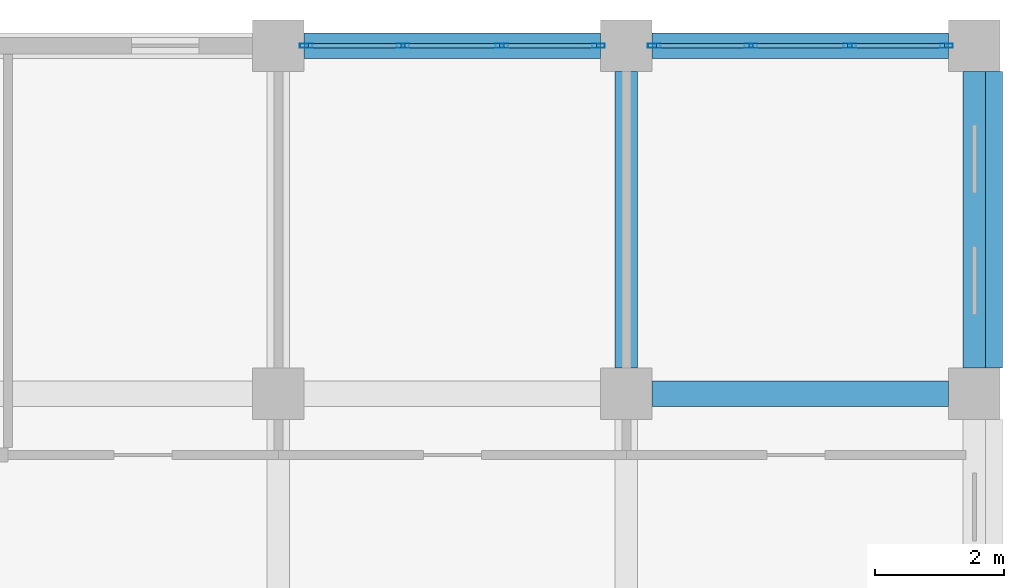
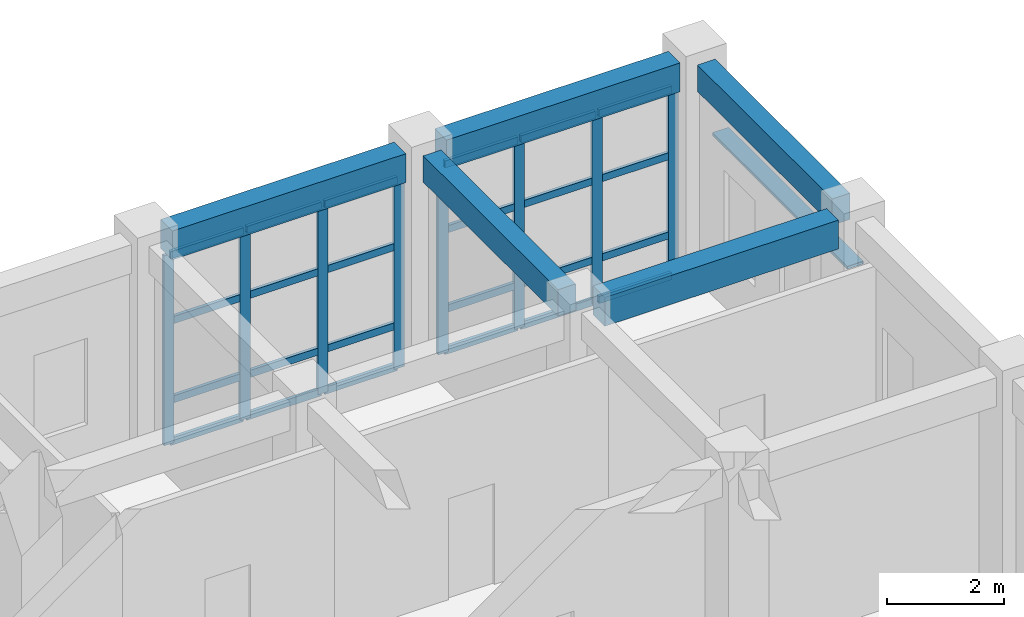
# One storey, part 53 of 76: 33 members, 5 beams, 2 elements without a shape of their own.
"""IFC4 building model written with IfcOpenShell, lengths in metres."""

from ifc_helpers import new_model, si_unit, direction, frame, origin, origin_2d, place, context, subcontext, project, spatial, rectangle, hollow_rectangle, extrude, material, layer, layer_set, material_profile, profile_set, type_object, element, aggregate, save


model = new_model("IFC4")

# Units and contexts
model_context = context("Model", 3, precision=1e-05, world=origin(), true_north=direction((0.0, 1.0)))
body_context = subcontext(model_context, "Body", "Model", "MODEL_VIEW")
ifc_project = project(units=[si_unit("LENGTHUNIT", "METRE"), si_unit("AREAUNIT", "SQUARE_METRE"), si_unit("VOLUMEUNIT", "CUBIC_METRE"), si_unit("PLANEANGLEUNIT", "RADIAN"), si_unit("MASSUNIT", "GRAM", prefix="KILO")], contexts=[model_context])

# Site, building, storey
site_placement = place(None, origin())
site = spatial("IfcSite", under=ifc_project, at=site_placement, CompositionType="ELEMENT")
building_placement = place(site_placement, origin())
building = spatial("IfcBuilding", under=site, at=building_placement, Name="Krzemoval Escarpment Law Courts", CompositionType="ELEMENT")
storey_placement = place(building_placement, frame((0.0, 0.0, 20.39990234375)))
storey = spatial("IfcBuildingStorey", under=building, at=storey_placement, Name="L04", CompositionType="ELEMENT", Elevation=20.39990234375)

# Beams
ifc_material_1 = material(Name="Concrete C40/50", Category="concrete")
ifc_material_profile_1 = material_profile(ifc_material_1, rectangle(XDim=0.35009765625, YDim=0.550048828125, at=origin_2d()), Name="RCB 350x550")
ifc_profile_set_1 = profile_set([ifc_material_profile_1], Name="Concrete C40/50")
beam_type_1 = type_object("IfcBeamType", Name="BM-RC-350x550", PredefinedType="BEAM", material=ifc_profile_set_1)
for number, where, z_axis, x_axis, name in (
    (1, (167.39990234375, 113.800048828125, 4.275146484375), (0.0, 1.0, 0.0), (-1.0, 0.0, 0.0), "Beam FG-L04-2539"),
    (2, (172.800048828125, 113.800048828125, 4.275146484375), (0.0, 1.0, 0.0), (-1.0, 0.0, 0.0), "Beam FG-L04-2543"),
):
    element("IfcBeam", number, at=place(storey_placement, frame(where, z_axis=z_axis, x_axis=x_axis)), inside=storey, type_object=beam_type_1, Name=name, PredefinedType="BEAM", context=body_context, shape_type="SweptSolid", body=[
        extrude(rectangle(XDim=0.35009765625, YDim=0.550048828125, at=origin_2d()), origin(), (0.0, 0.0, 1.0), 4.599853515625),
    ])
ifc_material_2 = material(Name="Concrete C40/50", Category="concrete")
ifc_material_profile_2 = material_profile(ifc_material_2, rectangle(XDim=0.39990234375, YDim=0.60009765625, at=origin_2d()), Name="RCB 400x600")
ifc_profile_set_2 = profile_set([ifc_material_profile_2], Name="Concrete C40/50")
beam_type_2 = type_object("IfcBeamType", Name="BM-RC-400x600", PredefinedType="BEAM", material=ifc_profile_set_2)
beam_1_placement = place(storey_placement, frame((167.800048828125, 113.39990234375, 4.25), z_axis=(1.0, 0.0, 0.0), x_axis=(0.0, 1.0, 0.0)))
element("IfcBeam", 3, at=beam_1_placement, inside=storey, type_object=beam_type_2, Name="Beam FG-L04-2474", PredefinedType="BEAM", context=body_context, shape_type="SweptSolid", body=[
    extrude(rectangle(XDim=0.39990234375, YDim=0.60009765625, at=origin_2d()), origin(), (0.0, 0.0, 1.0), 4.599853515625),
])
beam_2_placement = place(storey_placement, frame((162.39990234375, 118.800048828125, 4.25), z_axis=(1.0, 0.0, 0.0), x_axis=(0.0, 1.0, 0.0)))
element("IfcBeam", 4, at=beam_2_placement, inside=storey, type_object=beam_type_2, Name="Beam FG-L04-2480", PredefinedType="BEAM", context=body_context, shape_type="SweptSolid", body=[
    extrude(rectangle(XDim=0.39990234375, YDim=0.60009765625, at=origin_2d()), origin(), (0.0, 0.0, 1.0), 4.60009765625),
])
beam_3_placement = place(storey_placement, frame((167.800048828125, 118.800048828125, 4.25), z_axis=(1.0, 0.0, 0.0), x_axis=(0.0, 1.0, 0.0)))
element("IfcBeam", 5, at=beam_3_placement, inside=storey, type_object=beam_type_2, Name="Beam FG-L04-2481", PredefinedType="BEAM", context=body_context, shape_type="SweptSolid", body=[
    extrude(rectangle(XDim=0.39990234375, YDim=0.60009765625, at=origin_2d()), origin(), (0.0, 0.0, 1.0), 4.599853515625),
])

# Curtain wall, members
ifc_material_3 = material(Name="Aluminium 6063-T6", Category="aluminium")
ifc_layer = layer(ifc_material_3, 0.219970703125)
ifc_layer_set = layer_set([ifc_layer], Name="Aluminium 6063-T6")
curtain_wall_type = type_object("IfcCurtainWallType", Name="CW-CHMB-4200", PredefinedType="USERDEFINED", material=ifc_layer_set)
curtain_wall_1_placement = place(storey_placement, origin())
curtain_wall_1 = element("IfcCurtainWall", 6, at=curtain_wall_1_placement, inside=storey, type_object=curtain_wall_type, Name="Unitised Curtain Wall FCW-L04-129", ObjectType="UNITISED_CURTAIN_WALL", PredefinedType="USERDEFINED")
ifc_material_4 = material(Name="Aluminium 6063-T6", Category="aluminium")
ifc_material_profile_3 = material_profile(ifc_material_4, hollow_rectangle(XDim=0.06494140625, YDim=0.199951171875, WallThickness=0.00439453125, at=origin_2d()), Name="ALU M65x200")
ifc_profile_set_3 = profile_set([ifc_material_profile_3], Name="Aluminium 6063-T6")
member_type_1 = type_object("IfcMemberType", Name="CWM-65x200", PredefinedType="MULLION", material=ifc_profile_set_3)
member_1_placement = place(storey_placement, frame((162.4326171875, 118.800048828125, 0.0), z_axis=(0.0, 0.0, 1.0), x_axis=(0.0, 1.0, 0.0)))
member_1 = element("IfcMember", 7, at=member_1_placement, type_object=member_type_1, Name="FCW-L04-129 mullion 1", PredefinedType="MULLION", context=body_context, shape_type="SweptSolid", body=[
    extrude(hollow_rectangle(XDim=0.06494140625, YDim=0.199951171875, WallThickness=0.00439453125, at=origin_2d()), origin(), (0.0, 0.0, 1.0), 3.9501953125),
])
member_2_placement = place(storey_placement, frame((163.933349609375, 118.800048828125, 0.0), z_axis=(0.0, 0.0, 1.0), x_axis=(0.0, 1.0, 0.0)))
member_2 = element("IfcMember", 8, at=member_2_placement, type_object=member_type_1, Name="FCW-L04-129 mullion 2", PredefinedType="MULLION", context=body_context, shape_type="SweptSolid", body=[
    extrude(hollow_rectangle(XDim=0.06494140625, YDim=0.199951171875, WallThickness=0.00439453125, at=origin_2d()), origin(), (0.0, 0.0, 1.0), 3.9501953125),
])
member_3_placement = place(storey_placement, frame((165.466552734375, 118.800048828125, 0.0), z_axis=(0.0, 0.0, 1.0), x_axis=(0.0, 1.0, 0.0)))
member_3 = element("IfcMember", 9, at=member_3_placement, type_object=member_type_1, Name="FCW-L04-129 mullion 3", PredefinedType="MULLION", context=body_context, shape_type="SweptSolid", body=[
    extrude(hollow_rectangle(XDim=0.06494140625, YDim=0.199951171875, WallThickness=0.00439453125, at=origin_2d()), origin(), (0.0, 0.0, 1.0), 3.9501953125),
])
member_4_placement = place(storey_placement, frame((166.967529296875, 118.800048828125, 0.0), z_axis=(0.0, 0.0, 1.0), x_axis=(0.0, 1.0, 0.0)))
member_4 = element("IfcMember", 10, at=member_4_placement, type_object=member_type_1, Name="FCW-L04-129 mullion 4", PredefinedType="MULLION", context=body_context, shape_type="SweptSolid", body=[
    extrude(hollow_rectangle(XDim=0.06494140625, YDim=0.199951171875, WallThickness=0.00439453125, at=origin_2d()), origin(), (0.0, 0.0, 1.0), 3.9501953125),
])

curtain_wall_2_placement = place(storey_placement, origin())
curtain_wall_2 = element("IfcCurtainWall", 11, at=curtain_wall_2_placement, inside=storey, type_object=curtain_wall_type, Name="Unitised Curtain Wall FCW-L04-130", ObjectType="UNITISED_CURTAIN_WALL", PredefinedType="USERDEFINED")
member_5_placement = place(storey_placement, frame((167.83251953125, 118.800048828125, 0.0), z_axis=(0.0, 0.0, 1.0), x_axis=(0.0, 1.0, 0.0)))
member_5 = element("IfcMember", 12, at=member_5_placement, type_object=member_type_1, Name="FCW-L04-130 mullion 1", PredefinedType="MULLION", context=body_context, shape_type="SweptSolid", body=[
    extrude(hollow_rectangle(XDim=0.06494140625, YDim=0.199951171875, WallThickness=0.00439453125, at=origin_2d()), origin(), (0.0, 0.0, 1.0), 3.9501953125),
])
member_6_placement = place(storey_placement, frame((169.333251953125, 118.800048828125, 0.0), z_axis=(0.0, 0.0, 1.0), x_axis=(0.0, 1.0, 0.0)))
member_6 = element("IfcMember", 13, at=member_6_placement, type_object=member_type_1, Name="FCW-L04-130 mullion 2", PredefinedType="MULLION", context=body_context, shape_type="SweptSolid", body=[
    extrude(hollow_rectangle(XDim=0.06494140625, YDim=0.199951171875, WallThickness=0.00439453125, at=origin_2d()), origin(), (0.0, 0.0, 1.0), 3.9501953125),
])
member_7_placement = place(storey_placement, frame((170.86669921875, 118.800048828125, 0.0), z_axis=(0.0, 0.0, 1.0), x_axis=(0.0, 1.0, 0.0)))
member_7 = element("IfcMember", 14, at=member_7_placement, type_object=member_type_1, Name="FCW-L04-130 mullion 3", PredefinedType="MULLION", context=body_context, shape_type="SweptSolid", body=[
    extrude(hollow_rectangle(XDim=0.06494140625, YDim=0.199951171875, WallThickness=0.00439453125, at=origin_2d()), origin(), (0.0, 0.0, 1.0), 3.9501953125),
])
member_8_placement = place(storey_placement, frame((172.367431640625, 118.800048828125, 0.0), z_axis=(0.0, 0.0, 1.0), x_axis=(0.0, 1.0, 0.0)))
member_8 = element("IfcMember", 15, at=member_8_placement, type_object=member_type_1, Name="FCW-L04-130 mullion 4", PredefinedType="MULLION", context=body_context, shape_type="SweptSolid", body=[
    extrude(hollow_rectangle(XDim=0.06494140625, YDim=0.199951171875, WallThickness=0.00439453125, at=origin_2d()), origin(), (0.0, 0.0, 1.0), 3.9501953125),
])

# Member
ifc_material_5 = material(Name="Aluminium 6063-T6", Category="aluminium")
ifc_material_profile_4 = material_profile(ifc_material_5, hollow_rectangle(XDim=0.06494140625, YDim=0.14990234375, WallThickness=0.00439453125, at=origin_2d()), Name="ALU T65x150")
ifc_profile_set_4 = profile_set([ifc_material_profile_4], Name="Aluminium 6063-T6")
member_type_2 = type_object("IfcMemberType", Name="CWT-65x150", PredefinedType="USERDEFINED", material=ifc_profile_set_4)
member_9_placement = place(storey_placement, frame((162.465087890625, 118.800048828125, 0.03271484375), z_axis=(1.0, 0.0, 0.0), x_axis=(0.0, 1.0, 0.0)))
member_9 = element("IfcMember", 16, at=member_9_placement, type_object=member_type_2, Name="FCW-L04-129 transom 1.1", ObjectType="TRANSOM", PredefinedType="USERDEFINED", context=body_context, shape_type="SweptSolid", body=[
    extrude(hollow_rectangle(XDim=0.06494140625, YDim=0.14990234375, WallThickness=0.00439453125, at=origin_2d()), origin(), (0.0, 0.0, 1.0), 1.435791015625),
])

member_10_placement = place(storey_placement, frame((162.465087890625, 118.800048828125, 0.900146484375), z_axis=(1.0, 0.0, 0.0), x_axis=(0.0, 1.0, 0.0)))
member_10 = element("IfcMember", 17, at=member_10_placement, type_object=member_type_2, Name="FCW-L04-129 transom 1.2", ObjectType="TRANSOM", PredefinedType="USERDEFINED", context=body_context, shape_type="SweptSolid", body=[
    extrude(hollow_rectangle(XDim=0.06494140625, YDim=0.14990234375, WallThickness=0.00439453125, at=origin_2d()), origin(), (0.0, 0.0, 1.0), 1.435791015625),
])

member_11_placement = place(storey_placement, frame((162.465087890625, 118.800048828125, 2.550048828125), z_axis=(1.0, 0.0, 0.0), x_axis=(0.0, 1.0, 0.0)))
member_11 = element("IfcMember", 18, at=member_11_placement, type_object=member_type_2, Name="FCW-L04-129 transom 1.3", ObjectType="TRANSOM", PredefinedType="USERDEFINED", context=body_context, shape_type="SweptSolid", body=[
    extrude(hollow_rectangle(XDim=0.06494140625, YDim=0.14990234375, WallThickness=0.00439453125, at=origin_2d()), origin(), (0.0, 0.0, 1.0), 1.435791015625),
])

member_12_placement = place(storey_placement, frame((162.465087890625, 118.800048828125, 3.91748046875), z_axis=(1.0, 0.0, 0.0), x_axis=(0.0, 1.0, 0.0)))
member_12 = element("IfcMember", 19, at=member_12_placement, type_object=member_type_2, Name="FCW-L04-129 transom 1.4", ObjectType="TRANSOM", PredefinedType="USERDEFINED", context=body_context, shape_type="SweptSolid", body=[
    extrude(hollow_rectangle(XDim=0.06494140625, YDim=0.14990234375, WallThickness=0.00439453125, at=origin_2d()), origin(), (0.0, 0.0, 1.0), 1.435791015625),
])

member_13_placement = place(storey_placement, frame((163.9658203125, 118.800048828125, 0.03271484375), z_axis=(1.0, 0.0, 0.0), x_axis=(0.0, 1.0, 0.0)))
member_13 = element("IfcMember", 20, at=member_13_placement, type_object=member_type_2, Name="FCW-L04-129 transom 2.1", ObjectType="TRANSOM", PredefinedType="USERDEFINED", context=body_context, shape_type="SweptSolid", body=[
    extrude(hollow_rectangle(XDim=0.06494140625, YDim=0.14990234375, WallThickness=0.00439453125, at=origin_2d()), origin(), (0.0, 0.0, 1.0), 1.46826171875),
])

member_14_placement = place(storey_placement, frame((163.9658203125, 118.800048828125, 0.900146484375), z_axis=(1.0, 0.0, 0.0), x_axis=(0.0, 1.0, 0.0)))
member_14 = element("IfcMember", 21, at=member_14_placement, type_object=member_type_2, Name="FCW-L04-129 transom 2.2", ObjectType="TRANSOM", PredefinedType="USERDEFINED", context=body_context, shape_type="SweptSolid", body=[
    extrude(hollow_rectangle(XDim=0.06494140625, YDim=0.14990234375, WallThickness=0.00439453125, at=origin_2d()), origin(), (0.0, 0.0, 1.0), 1.46826171875),
])

member_15_placement = place(storey_placement, frame((163.9658203125, 118.800048828125, 2.550048828125), z_axis=(1.0, 0.0, 0.0), x_axis=(0.0, 1.0, 0.0)))
member_15 = element("IfcMember", 22, at=member_15_placement, type_object=member_type_2, Name="FCW-L04-129 transom 2.3", ObjectType="TRANSOM", PredefinedType="USERDEFINED", context=body_context, shape_type="SweptSolid", body=[
    extrude(hollow_rectangle(XDim=0.06494140625, YDim=0.14990234375, WallThickness=0.00439453125, at=origin_2d()), origin(), (0.0, 0.0, 1.0), 1.46826171875),
])

member_16_placement = place(storey_placement, frame((163.9658203125, 118.800048828125, 3.91748046875), z_axis=(1.0, 0.0, 0.0), x_axis=(0.0, 1.0, 0.0)))
member_16 = element("IfcMember", 23, at=member_16_placement, type_object=member_type_2, Name="FCW-L04-129 transom 2.4", ObjectType="TRANSOM", PredefinedType="USERDEFINED", context=body_context, shape_type="SweptSolid", body=[
    extrude(hollow_rectangle(XDim=0.06494140625, YDim=0.14990234375, WallThickness=0.00439453125, at=origin_2d()), origin(), (0.0, 0.0, 1.0), 1.46826171875),
])

member_17_placement = place(storey_placement, frame((165.499267578125, 118.800048828125, 0.03271484375), z_axis=(1.0, 0.0, 0.0), x_axis=(0.0, 1.0, 0.0)))
member_17 = element("IfcMember", 24, at=member_17_placement, type_object=member_type_2, Name="FCW-L04-129 transom 3.1", ObjectType="TRANSOM", PredefinedType="USERDEFINED", context=body_context, shape_type="SweptSolid", body=[
    extrude(hollow_rectangle(XDim=0.06494140625, YDim=0.14990234375, WallThickness=0.00439453125, at=origin_2d()), origin(), (0.0, 0.0, 1.0), 1.435791015625),
])

member_18_placement = place(storey_placement, frame((165.499267578125, 118.800048828125, 0.900146484375), z_axis=(1.0, 0.0, 0.0), x_axis=(0.0, 1.0, 0.0)))
member_18 = element("IfcMember", 25, at=member_18_placement, type_object=member_type_2, Name="FCW-L04-129 transom 3.2", ObjectType="TRANSOM", PredefinedType="USERDEFINED", context=body_context, shape_type="SweptSolid", body=[
    extrude(hollow_rectangle(XDim=0.06494140625, YDim=0.14990234375, WallThickness=0.00439453125, at=origin_2d()), origin(), (0.0, 0.0, 1.0), 1.435791015625),
])

member_19_placement = place(storey_placement, frame((165.499267578125, 118.800048828125, 2.550048828125), z_axis=(1.0, 0.0, 0.0), x_axis=(0.0, 1.0, 0.0)))
member_19 = element("IfcMember", 26, at=member_19_placement, type_object=member_type_2, Name="FCW-L04-129 transom 3.3", ObjectType="TRANSOM", PredefinedType="USERDEFINED", context=body_context, shape_type="SweptSolid", body=[
    extrude(hollow_rectangle(XDim=0.06494140625, YDim=0.14990234375, WallThickness=0.00439453125, at=origin_2d()), origin(), (0.0, 0.0, 1.0), 1.435791015625),
])

member_20_placement = place(storey_placement, frame((165.499267578125, 118.800048828125, 3.91748046875), z_axis=(1.0, 0.0, 0.0), x_axis=(0.0, 1.0, 0.0)))
member_20 = element("IfcMember", 27, at=member_20_placement, type_object=member_type_2, Name="FCW-L04-129 transom 3.4", ObjectType="TRANSOM", PredefinedType="USERDEFINED", context=body_context, shape_type="SweptSolid", body=[
    extrude(hollow_rectangle(XDim=0.06494140625, YDim=0.14990234375, WallThickness=0.00439453125, at=origin_2d()), origin(), (0.0, 0.0, 1.0), 1.435791015625),
])

aggregate(curtain_wall_1, [member_1, member_2, member_3, member_4, member_9, member_10, member_11, member_12, member_13, member_14, member_15, member_16, member_17, member_18, member_19, member_20])

member_21_placement = place(storey_placement, frame((167.864990234375, 118.800048828125, 0.03271484375), z_axis=(1.0, 0.0, 0.0), x_axis=(0.0, 1.0, 0.0)))
member_21 = element("IfcMember", 28, at=member_21_placement, type_object=member_type_2, Name="FCW-L04-130 transom 1.1", ObjectType="TRANSOM", PredefinedType="USERDEFINED", context=body_context, shape_type="SweptSolid", body=[
    extrude(hollow_rectangle(XDim=0.06494140625, YDim=0.14990234375, WallThickness=0.00439453125, at=origin_2d()), origin(), (0.0, 0.0, 1.0), 1.435791015625),
])

member_22_placement = place(storey_placement, frame((167.864990234375, 118.800048828125, 0.900146484375), z_axis=(1.0, 0.0, 0.0), x_axis=(0.0, 1.0, 0.0)))
member_22 = element("IfcMember", 29, at=member_22_placement, type_object=member_type_2, Name="FCW-L04-130 transom 1.2", ObjectType="TRANSOM", PredefinedType="USERDEFINED", context=body_context, shape_type="SweptSolid", body=[
    extrude(hollow_rectangle(XDim=0.06494140625, YDim=0.14990234375, WallThickness=0.00439453125, at=origin_2d()), origin(), (0.0, 0.0, 1.0), 1.435791015625),
])

member_23_placement = place(storey_placement, frame((167.864990234375, 118.800048828125, 2.550048828125), z_axis=(1.0, 0.0, 0.0), x_axis=(0.0, 1.0, 0.0)))
member_23 = element("IfcMember", 30, at=member_23_placement, type_object=member_type_2, Name="FCW-L04-130 transom 1.3", ObjectType="TRANSOM", PredefinedType="USERDEFINED", context=body_context, shape_type="SweptSolid", body=[
    extrude(hollow_rectangle(XDim=0.06494140625, YDim=0.14990234375, WallThickness=0.00439453125, at=origin_2d()), origin(), (0.0, 0.0, 1.0), 1.435791015625),
])

member_24_placement = place(storey_placement, frame((167.864990234375, 118.800048828125, 3.91748046875), z_axis=(1.0, 0.0, 0.0), x_axis=(0.0, 1.0, 0.0)))
member_24 = element("IfcMember", 31, at=member_24_placement, type_object=member_type_2, Name="FCW-L04-130 transom 1.4", ObjectType="TRANSOM", PredefinedType="USERDEFINED", context=body_context, shape_type="SweptSolid", body=[
    extrude(hollow_rectangle(XDim=0.06494140625, YDim=0.14990234375, WallThickness=0.00439453125, at=origin_2d()), origin(), (0.0, 0.0, 1.0), 1.435791015625),
])

member_25_placement = place(storey_placement, frame((169.36572265625, 118.800048828125, 0.03271484375), z_axis=(1.0, 0.0, 0.0), x_axis=(0.0, 1.0, 0.0)))
member_25 = element("IfcMember", 32, at=member_25_placement, type_object=member_type_2, Name="FCW-L04-130 transom 2.1", ObjectType="TRANSOM", PredefinedType="USERDEFINED", context=body_context, shape_type="SweptSolid", body=[
    extrude(hollow_rectangle(XDim=0.06494140625, YDim=0.14990234375, WallThickness=0.00439453125, at=origin_2d()), origin(), (0.0, 0.0, 1.0), 1.468505859375),
])

member_26_placement = place(storey_placement, frame((169.36572265625, 118.800048828125, 0.900146484375), z_axis=(1.0, 0.0, 0.0), x_axis=(0.0, 1.0, 0.0)))
member_26 = element("IfcMember", 33, at=member_26_placement, type_object=member_type_2, Name="FCW-L04-130 transom 2.2", ObjectType="TRANSOM", PredefinedType="USERDEFINED", context=body_context, shape_type="SweptSolid", body=[
    extrude(hollow_rectangle(XDim=0.06494140625, YDim=0.14990234375, WallThickness=0.00439453125, at=origin_2d()), origin(), (0.0, 0.0, 1.0), 1.468505859375),
])

member_27_placement = place(storey_placement, frame((169.36572265625, 118.800048828125, 2.550048828125), z_axis=(1.0, 0.0, 0.0), x_axis=(0.0, 1.0, 0.0)))
member_27 = element("IfcMember", 34, at=member_27_placement, type_object=member_type_2, Name="FCW-L04-130 transom 2.3", ObjectType="TRANSOM", PredefinedType="USERDEFINED", context=body_context, shape_type="SweptSolid", body=[
    extrude(hollow_rectangle(XDim=0.06494140625, YDim=0.14990234375, WallThickness=0.00439453125, at=origin_2d()), origin(), (0.0, 0.0, 1.0), 1.468505859375),
])

member_28_placement = place(storey_placement, frame((169.36572265625, 118.800048828125, 3.91748046875), z_axis=(1.0, 0.0, 0.0), x_axis=(0.0, 1.0, 0.0)))
member_28 = element("IfcMember", 35, at=member_28_placement, type_object=member_type_2, Name="FCW-L04-130 transom 2.4", ObjectType="TRANSOM", PredefinedType="USERDEFINED", context=body_context, shape_type="SweptSolid", body=[
    extrude(hollow_rectangle(XDim=0.06494140625, YDim=0.14990234375, WallThickness=0.00439453125, at=origin_2d()), origin(), (0.0, 0.0, 1.0), 1.468505859375),
])

member_29_placement = place(storey_placement, frame((170.899169921875, 118.800048828125, 0.03271484375), z_axis=(1.0, 0.0, 0.0), x_axis=(0.0, 1.0, 0.0)))
member_29 = element("IfcMember", 36, at=member_29_placement, type_object=member_type_2, Name="FCW-L04-130 transom 3.1", ObjectType="TRANSOM", PredefinedType="USERDEFINED", context=body_context, shape_type="SweptSolid", body=[
    extrude(hollow_rectangle(XDim=0.06494140625, YDim=0.14990234375, WallThickness=0.00439453125, at=origin_2d()), origin(), (0.0, 0.0, 1.0), 1.435791015625),
])

member_30_placement = place(storey_placement, frame((170.899169921875, 118.800048828125, 0.900146484375), z_axis=(1.0, 0.0, 0.0), x_axis=(0.0, 1.0, 0.0)))
member_30 = element("IfcMember", 37, at=member_30_placement, type_object=member_type_2, Name="FCW-L04-130 transom 3.2", ObjectType="TRANSOM", PredefinedType="USERDEFINED", context=body_context, shape_type="SweptSolid", body=[
    extrude(hollow_rectangle(XDim=0.06494140625, YDim=0.14990234375, WallThickness=0.00439453125, at=origin_2d()), origin(), (0.0, 0.0, 1.0), 1.435791015625),
])

member_31_placement = place(storey_placement, frame((170.899169921875, 118.800048828125, 2.550048828125), z_axis=(1.0, 0.0, 0.0), x_axis=(0.0, 1.0, 0.0)))
member_31 = element("IfcMember", 38, at=member_31_placement, type_object=member_type_2, Name="FCW-L04-130 transom 3.3", ObjectType="TRANSOM", PredefinedType="USERDEFINED", context=body_context, shape_type="SweptSolid", body=[
    extrude(hollow_rectangle(XDim=0.06494140625, YDim=0.14990234375, WallThickness=0.00439453125, at=origin_2d()), origin(), (0.0, 0.0, 1.0), 1.435791015625),
])

member_32_placement = place(storey_placement, frame((170.899169921875, 118.800048828125, 3.91748046875), z_axis=(1.0, 0.0, 0.0), x_axis=(0.0, 1.0, 0.0)))
member_32 = element("IfcMember", 39, at=member_32_placement, type_object=member_type_2, Name="FCW-L04-130 transom 3.4", ObjectType="TRANSOM", PredefinedType="USERDEFINED", context=body_context, shape_type="SweptSolid", body=[
    extrude(hollow_rectangle(XDim=0.06494140625, YDim=0.14990234375, WallThickness=0.00439453125, at=origin_2d()), origin(), (0.0, 0.0, 1.0), 1.435791015625),
])

aggregate(curtain_wall_2, [member_5, member_6, member_7, member_8, member_21, member_22, member_23, member_24, member_25, member_26, member_27, member_28, member_29, member_30, member_31, member_32])

ifc_material_6 = material(Name="Anodised Aluminium Alloy 6063-T6", Category="aluminium")
ifc_material_profile_5 = material_profile(ifc_material_6, hollow_rectangle(XDim=0.06005859375, YDim=0.320068359375, WallThickness=0.00390625, at=origin_2d()), Name="ALU LVR 60x320")
ifc_profile_set_5 = profile_set([ifc_material_profile_5], Name="Anodised Aluminium Alloy 6063-T6")
member_type_3 = type_object("IfcMemberType", Name="LVR-ALU-320", PredefinedType="USERDEFINED", material=ifc_profile_set_5)
member_33_placement = place(storey_placement, frame((173.080078125, 118.39990234375, 3.010009765625), z_axis=(0.0, -1.0, 0.0), x_axis=(0.0, 0.0, 1.0)))
element("IfcMember", 40, at=member_33_placement, inside=storey, type_object=member_type_3, Name="Window Sunshade Louvre FLV-L04-0866", ObjectType="SUNSHADE_LOUVRE", PredefinedType="USERDEFINED", context=body_context, shape_type="SweptSolid", body=[
    extrude(hollow_rectangle(XDim=0.06005859375, YDim=0.320068359375, WallThickness=0.00390625, at=origin_2d()), origin(), (0.0, 0.0, 1.0), 4.599853515625),
])

save(model, "model.ifc")
